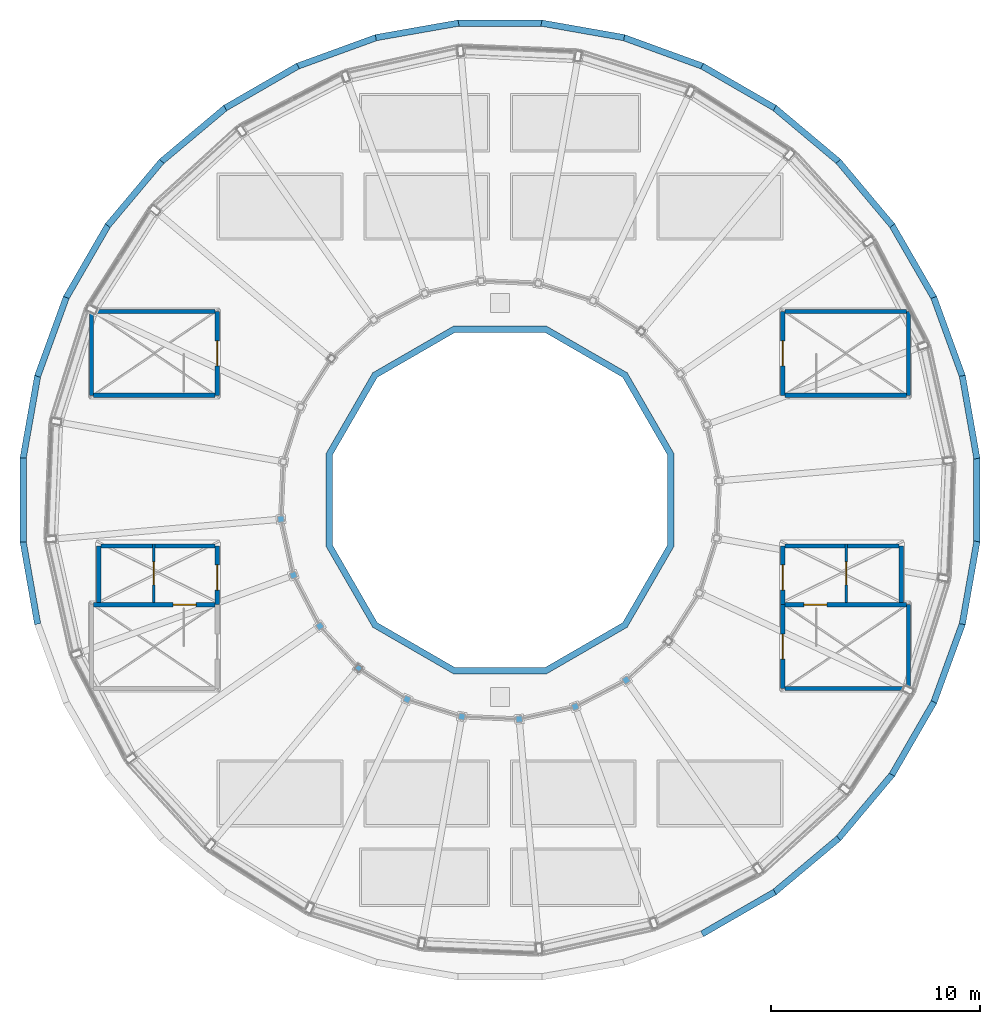
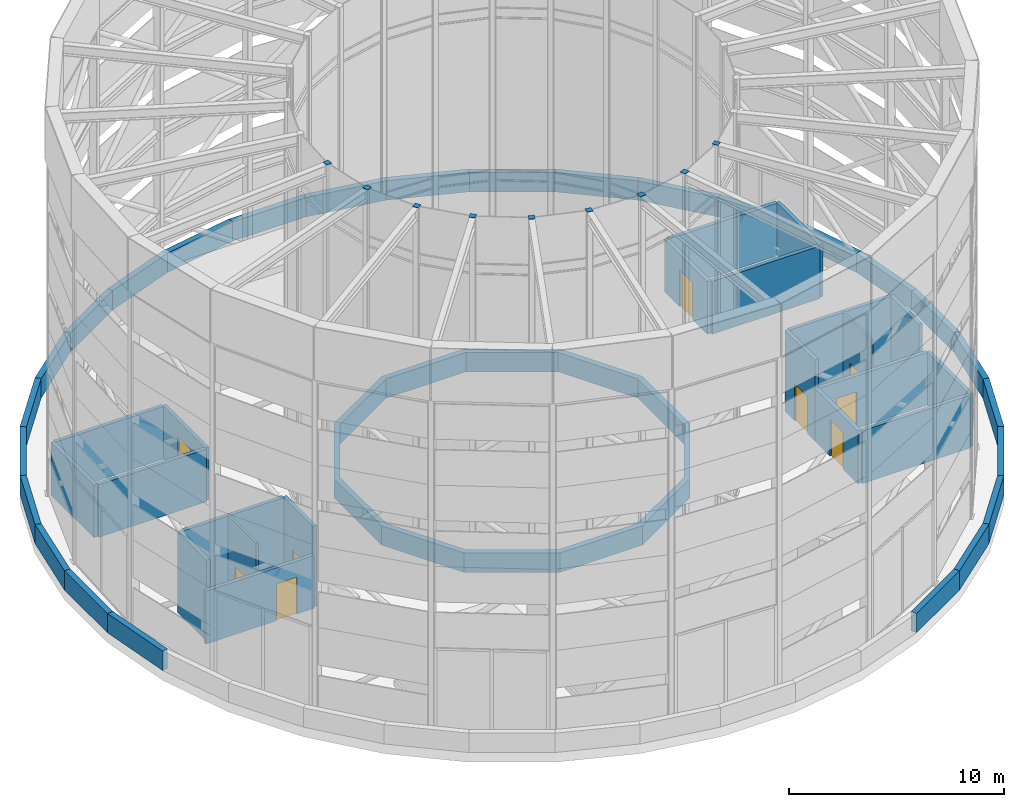
# One storey, part 15 of 20: 48 walls, 9 discrete accessories, 9 doors, 9 openings.
"""IFC4 building model written with IfcOpenShell, lengths in metres."""

from ifc_helpers import new_model, si_unit, direction, frame, frame_2d, origin, origin_2d, place, context, subcontext, project, spatial, polyline, rectangle, outline, extrude, material, layer, layer_set, material_profile, profile_set, type_object, element, fill, save


model = new_model("IFC4")

# Units and contexts
model_context = context("Model", 3, precision=1e-05, world=origin(), true_north=direction((0.0, 1.0)))
body_context = subcontext(model_context, "Body", "Model", "MODEL_VIEW")
ifc_project = project(units=[si_unit("LENGTHUNIT", "METRE"), si_unit("AREAUNIT", "SQUARE_METRE"), si_unit("VOLUMEUNIT", "CUBIC_METRE"), si_unit("PLANEANGLEUNIT", "RADIAN"), si_unit("MASSUNIT", "GRAM", prefix="KILO")], contexts=[model_context])

# Site, building, storey
site_placement = place(None, origin())
site = spatial("IfcSite", under=ifc_project, at=site_placement, CompositionType="ELEMENT")
building_placement = place(site_placement, origin())
building = spatial("IfcBuilding", under=site, at=building_placement, Name="Saqina Gate Tower", CompositionType="ELEMENT")
storey_placement = place(building_placement, frame((0.0, 0.0, 284.199951171875)))
storey = spatial("IfcBuildingStorey", under=building, at=storey_placement, Name="RF", CompositionType="ELEMENT", Elevation=284.199951171875)

# Wall, opening, door
ifc_material_1 = material(Name="Concrete C40/50", Category="concrete")
ifc_layer_1 = layer(ifc_material_1, 0.199951171875)
ifc_layer_set_1 = layer_set([ifc_layer_1], Name="Concrete C40/50")
wall_type_1 = type_object("IfcWallType", Name="HEAD HOUSE WALL", PredefinedType="SOLIDWALL", material=ifc_layer_set_1)
wall_1_placement = place(storey_placement, frame((13.5, 5.0, 0.0), z_axis=(0.0, 0.0, 1.0), x_axis=(0.0, 1.0, 0.0)))
wall_1 = element("IfcWall", 1, at=wall_1_placement, inside=storey, type_object=wall_type_1, Name="STAIR HEAD HOUSE WALL EN", PredefinedType="SOLIDWALL", context=body_context, shape_type="SweptSolid", body=[
    extrude(rectangle(XDim=4.0, YDim=0.199951171875, at=frame_2d((2.0, 0.0))), origin(), (0.0, 0.0, 1.0), 3.0),
])
opening_1_placement = place(wall_1_placement, frame((1.39990234375, 0.0, 0.0)))
opening_1 = element("IfcOpeningElement", 2, at=opening_1_placement, cuts=wall_1, Name="Opening RF-D90", PredefinedType="OPENING", context=body_context, shape_type="SweptSolid", body=[
    extrude(rectangle(XDim=1.199951171875, YDim=2.10009765625, at=frame_2d((0.60009765625, 1.050048828125))), frame((0.0, 0.112060546875, 0.0), z_axis=(0.0, -1.0, 0.0), x_axis=(1.0, 0.0, 0.0)), (0.0, 0.0, 1.0), 0.223876953125),
])
ifc_material_2 = material(Name="Steel", Category="steel")
door_type_1 = type_object("IfcDoorType", Name="FIRE DOOR EI 60", OperationType="SINGLE_SWING_LEFT", PredefinedType="DOOR", material=ifc_material_2)
door_1_placement = place(opening_1_placement, origin())
door_1 = element("IfcDoor", 3, at=door_1_placement, inside=storey, type_object=door_type_1, Name="STAIR HEAD HOUSE DOOR", OperationType="SINGLE_SWING_LEFT", OverallHeight=2.10009765625, OverallWidth=1.199951171875, PredefinedType="DOOR", context=body_context, shape_type="SweptSolid", body=[
    extrude(rectangle(XDim=1.199951171875, YDim=2.10009765625, at=frame_2d((0.60009765625, 1.050048828125))), frame((0.0, 0.02490234375, 0.0), z_axis=(0.0, -1.0, 0.0), x_axis=(1.0, 0.0, 0.0)), (0.0, 0.0, 1.0), 0.050048828125),
])
fill(opening_1, door_1)

# Walls
wall_2_placement = place(storey_placement, frame((19.5, 5.0, 0.0), z_axis=(0.0, 0.0, 1.0), x_axis=(0.0, 1.0, 0.0)))
element("IfcWall", 4, at=wall_2_placement, inside=storey, type_object=wall_type_1, Name="STAIR HEAD HOUSE WALL EN", PredefinedType="SOLIDWALL", context=body_context, shape_type="SweptSolid", body=[
    extrude(rectangle(XDim=4.0, YDim=0.199951171875, at=frame_2d((2.0, 0.0))), origin(), (0.0, 0.0, 1.0), 3.0),
])
for number, where, z_axis, x_axis, name in (
    (5, (13.60009765625, 5.0, 0.0), (0.0, 0.0, 1.0), (1.0, 0.0, 0.0), "STAIR HEAD HOUSE WALL EN"),
    (6, (13.60009765625, 9.0, 0.0), (0.0, 0.0, 1.0), (1.0, 0.0, 0.0), "STAIR HEAD HOUSE WALL EN"),
):
    element("IfcWall", number, at=place(storey_placement, frame(where, z_axis=z_axis, x_axis=x_axis)), inside=storey, type_object=wall_type_1, Name=name, PredefinedType="SOLIDWALL", context=body_context, shape_type="SweptSolid", body=[
        extrude(rectangle(XDim=5.7998046875, YDim=0.199951171875, at=frame_2d((2.89990234375, 0.0))), origin(), (0.0, 0.0, 1.0), 3.0),
    ])

# Wall, opening, door
wall_3_placement = place(storey_placement, frame((13.5, -9.0, 0.0), z_axis=(0.0, 0.0, 1.0), x_axis=(0.0, 1.0, 0.0)))
wall_3 = element("IfcWall", 7, at=wall_3_placement, inside=storey, type_object=wall_type_1, Name="STAIR HEAD HOUSE WALL ES", PredefinedType="SOLIDWALL", context=body_context, shape_type="SweptSolid", body=[
    extrude(rectangle(XDim=4.0, YDim=0.199951171875, at=frame_2d((2.0, 0.0))), origin(), (0.0, 0.0, 1.0), 3.0),
])
opening_2_placement = place(wall_3_placement, frame((1.39990234375, 0.0, 0.0)))
opening_2 = element("IfcOpeningElement", 8, at=opening_2_placement, cuts=wall_3, Name="Opening RF-D91", PredefinedType="OPENING", context=body_context, shape_type="SweptSolid", body=[
    extrude(rectangle(XDim=1.199951171875, YDim=2.10009765625, at=frame_2d((0.60009765625, 1.050048828125))), frame((0.0, 0.112060546875, 0.0), z_axis=(0.0, -1.0, 0.0), x_axis=(1.0, 0.0, 0.0)), (0.0, 0.0, 1.0), 0.223876953125),
])
door_2_placement = place(opening_2_placement, origin())
door_2 = element("IfcDoor", 9, at=door_2_placement, inside=storey, type_object=door_type_1, Name="STAIR HEAD HOUSE DOOR", OperationType="SINGLE_SWING_LEFT", OverallHeight=2.10009765625, OverallWidth=1.199951171875, PredefinedType="DOOR", context=body_context, shape_type="SweptSolid", body=[
    extrude(rectangle(XDim=1.199951171875, YDim=2.10009765625, at=frame_2d((0.60009765625, 1.050048828125))), frame((0.0, 0.02490234375, 0.0), z_axis=(0.0, -1.0, 0.0), x_axis=(1.0, 0.0, 0.0)), (0.0, 0.0, 1.0), 0.050048828125),
])
fill(opening_2, door_2)

# Wall
wall_4_placement = place(storey_placement, frame((19.5, -9.0, 0.0), z_axis=(0.0, 0.0, 1.0), x_axis=(0.0, 1.0, 0.0)))
element("IfcWall", 10, at=wall_4_placement, inside=storey, type_object=wall_type_1, Name="STAIR HEAD HOUSE WALL ES", PredefinedType="SOLIDWALL", context=body_context, shape_type="SweptSolid", body=[
    extrude(rectangle(XDim=4.0, YDim=0.199951171875, at=frame_2d((2.0, 0.0))), origin(), (0.0, 0.0, 1.0), 3.0),
])

# Wall, opening, door
wall_5_placement = place(storey_placement, frame((13.60009765625, -5.0, 0.0), z_axis=(0.0, 0.0, 1.0), x_axis=(1.0, 0.0, 0.0)))
wall_5 = element("IfcWall", 11, at=wall_5_placement, inside=storey, type_object=wall_type_1, Name="STAIR HEAD HOUSE WALL ES", PredefinedType="SOLIDWALL", context=body_context, shape_type="SweptSolid", body=[
    extrude(rectangle(XDim=5.7998046875, YDim=0.199951171875, at=frame_2d((2.89990234375, 0.0))), origin(), (0.0, 0.0, 1.0), 3.0),
])
opening_3_placement = place(wall_5_placement, frame((0.89990234375, 0.0, 0.0)))
opening_3 = element("IfcOpeningElement", 12, at=opening_3_placement, cuts=wall_5, Name="Opening RF-D96", PredefinedType="OPENING", context=body_context, shape_type="SweptSolid", body=[
    extrude(rectangle(XDim=1.10009765625, YDim=2.10009765625, at=frame_2d((0.550048828125, 1.050048828125))), frame((0.0, 0.112060546875, 0.0), z_axis=(0.0, -1.0, 0.0), x_axis=(1.0, 0.0, 0.0)), (0.0, 0.0, 1.0), 0.223876953125),
])
ifc_material_3 = material(Name="Steel", Category="steel")
door_type_2 = type_object("IfcDoorType", Name="FIRE LOBBY DOOR EI 60 WIDE", OperationType="SINGLE_SWING_LEFT", PredefinedType="DOOR", material=ifc_material_3)
door_3_placement = place(opening_3_placement, frame((1.10009765625, 0.0, 0.0), z_axis=(0.0, 0.0, 1.0), x_axis=(-1.0, 0.0, 0.0)))
door_3 = element("IfcDoor", 13, at=door_3_placement, inside=storey, type_object=door_type_2, Name="FIRE-FIGHTING LOBBY STAIR DOOR", OperationType="SINGLE_SWING_RIGHT", OverallHeight=2.10009765625, OverallWidth=1.10009765625, PredefinedType="DOOR", context=body_context, shape_type="SweptSolid", body=[
    extrude(rectangle(XDim=1.10009765625, YDim=2.10009765625, at=frame_2d((0.550048828125, 1.050048828125))), frame((0.0, 0.02490234375, 0.0), z_axis=(0.0, -1.0, 0.0), x_axis=(1.0, 0.0, 0.0)), (0.0, 0.0, 1.0), 0.050048828125),
])
fill(opening_3, door_3)

# Wall
wall_6_placement = place(storey_placement, frame((13.60009765625, -9.0, 0.0), z_axis=(0.0, 0.0, 1.0), x_axis=(1.0, 0.0, 0.0)))
element("IfcWall", 14, at=wall_6_placement, inside=storey, type_object=wall_type_1, Name="STAIR HEAD HOUSE WALL ES", PredefinedType="SOLIDWALL", context=body_context, shape_type="SweptSolid", body=[
    extrude(rectangle(XDim=5.7998046875, YDim=0.199951171875, at=frame_2d((2.89990234375, 0.0))), origin(), (0.0, 0.0, 1.0), 3.0),
])

# Wall, opening, door
wall_7_placement = place(storey_placement, frame((13.5, -5.0, 0.0), z_axis=(0.0, 0.0, 1.0), x_axis=(0.0, 1.0, 0.0)))
wall_7 = element("IfcWall", 15, at=wall_7_placement, inside=storey, type_object=wall_type_1, Name="FIRE-FIGHTING LIFT HEAD WALL E", PredefinedType="SOLIDWALL", context=body_context, shape_type="SweptSolid", body=[
    extrude(rectangle(XDim=2.800048828125, YDim=0.199951171875, at=frame_2d((1.39990234375, 0.0))), origin(), (0.0, 0.0, 1.0), 4.60009765625),
])
opening_4_placement = place(wall_7_placement, frame((0.699951171875, 0.0, 0.0)))
opening_4 = element("IfcOpeningElement", 16, at=opening_4_placement, cuts=wall_7, Name="Opening RF-D94", PredefinedType="OPENING", context=body_context, shape_type="SweptSolid", body=[
    extrude(rectangle(XDim=1.199951171875, YDim=2.10009765625, at=frame_2d((0.60009765625, 1.050048828125))), frame((0.0, 0.112060546875, 0.0), z_axis=(0.0, -1.0, 0.0), x_axis=(1.0, 0.0, 0.0)), (0.0, 0.0, 1.0), 0.223876953125),
])
door_4_placement = place(opening_4_placement, origin())
door_4 = element("IfcDoor", 17, at=door_4_placement, inside=storey, type_object=door_type_1, Name="FIRE-FIGHTING LOBBY ROOF DOOR", OperationType="SINGLE_SWING_LEFT", OverallHeight=2.10009765625, OverallWidth=1.199951171875, PredefinedType="DOOR", context=body_context, shape_type="SweptSolid", body=[
    extrude(rectangle(XDim=1.199951171875, YDim=2.10009765625, at=frame_2d((0.60009765625, 1.050048828125))), frame((0.0, 0.02490234375, 0.0), z_axis=(0.0, -1.0, 0.0), x_axis=(1.0, 0.0, 0.0)), (0.0, 0.0, 1.0), 0.050048828125),
])
fill(opening_4, door_4)

# Walls
wall_8_placement = place(storey_placement, frame((19.14990234375, -4.89990234375, 0.0), z_axis=(0.0, 0.0, 1.0), x_axis=(0.0, 1.0, 0.0)))
element("IfcWall", 18, at=wall_8_placement, inside=storey, type_object=wall_type_1, Name="FIRE-FIGHTING LIFT HEAD WALL E", PredefinedType="SOLIDWALL", context=body_context, shape_type="SweptSolid", body=[
    extrude(rectangle(XDim=2.699951171875, YDim=0.199951171875, at=frame_2d((1.35009765625, 0.0))), origin(), (0.0, 0.0, 1.0), 4.60009765625),
])
wall_9_placement = place(storey_placement, frame((13.60009765625, -2.199951171875, 0.0), z_axis=(0.0, 0.0, 1.0), x_axis=(1.0, 0.0, 0.0)))
element("IfcWall", 19, at=wall_9_placement, inside=storey, type_object=wall_type_1, Name="FIRE-FIGHTING LIFT HEAD WALL E", PredefinedType="SOLIDWALL", context=body_context, shape_type="SweptSolid", body=[
    extrude(rectangle(XDim=5.449951171875, YDim=0.199951171875, at=frame_2d((2.72509765625, 0.0))), origin(), (0.0, 0.0, 1.0), 4.60009765625),
])

# Wall, opening, door
wall_10_placement = place(storey_placement, frame((-13.5, 5.0, 0.0), z_axis=(0.0, 0.0, 1.0), x_axis=(0.0, 1.0, 0.0)))
wall_10 = element("IfcWall", 20, at=wall_10_placement, inside=storey, type_object=wall_type_1, Name="STAIR HEAD HOUSE WALL WN", PredefinedType="SOLIDWALL", context=body_context, shape_type="SweptSolid", body=[
    extrude(rectangle(XDim=4.0, YDim=0.199951171875, at=frame_2d((2.0, 0.0))), origin(), (0.0, 0.0, 1.0), 3.0),
])
opening_5_placement = place(wall_10_placement, frame((1.39990234375, 0.0, 0.0)))
opening_5 = element("IfcOpeningElement", 21, at=opening_5_placement, cuts=wall_10, Name="Opening RF-D92", PredefinedType="OPENING", context=body_context, shape_type="SweptSolid", body=[
    extrude(rectangle(XDim=1.199951171875, YDim=2.10009765625, at=frame_2d((0.60009765625, 1.050048828125))), frame((0.0, 0.112060546875, 0.0), z_axis=(0.0, -1.0, 0.0), x_axis=(1.0, 0.0, 0.0)), (0.0, 0.0, 1.0), 0.223876953125),
])
door_5_placement = place(opening_5_placement, frame((1.199951171875, 0.0, 0.0), z_axis=(0.0, 0.0, 1.0), x_axis=(-1.0, 0.0, 0.0)))
door_5 = element("IfcDoor", 22, at=door_5_placement, inside=storey, type_object=door_type_1, Name="STAIR HEAD HOUSE DOOR", OperationType="SINGLE_SWING_RIGHT", OverallHeight=2.10009765625, OverallWidth=1.199951171875, PredefinedType="DOOR", context=body_context, shape_type="SweptSolid", body=[
    extrude(rectangle(XDim=1.199951171875, YDim=2.10009765625, at=frame_2d((0.60009765625, 1.050048828125))), frame((0.0, 0.02490234375, 0.0), z_axis=(0.0, -1.0, 0.0), x_axis=(1.0, 0.0, 0.0)), (0.0, 0.0, 1.0), 0.050048828125),
])
fill(opening_5, door_5)

# Walls
wall_11_placement = place(storey_placement, frame((-19.5, 5.0, 0.0), z_axis=(0.0, 0.0, 1.0), x_axis=(0.0, 1.0, 0.0)))
element("IfcWall", 23, at=wall_11_placement, inside=storey, type_object=wall_type_1, Name="STAIR HEAD HOUSE WALL WN", PredefinedType="SOLIDWALL", context=body_context, shape_type="SweptSolid", body=[
    extrude(rectangle(XDim=4.0, YDim=0.199951171875, at=frame_2d((2.0, 0.0))), origin(), (0.0, 0.0, 1.0), 3.0),
])
for number, where, z_axis, x_axis, name in (
    (24, (-13.60009765625, 5.0, 0.0), (0.0, 0.0, 1.0), (-1.0, 0.0, 0.0), "STAIR HEAD HOUSE WALL WN"),
    (25, (-13.60009765625, 9.0, 0.0), (0.0, 0.0, 1.0), (-1.0, 0.0, 0.0), "STAIR HEAD HOUSE WALL WN"),
):
    element("IfcWall", number, at=place(storey_placement, frame(where, z_axis=z_axis, x_axis=x_axis)), inside=storey, type_object=wall_type_1, Name=name, PredefinedType="SOLIDWALL", context=body_context, shape_type="SweptSolid", body=[
        extrude(rectangle(XDim=5.7998046875, YDim=0.199951171875, at=frame_2d((2.89990234375, 0.0))), origin(), (0.0, 0.0, 1.0), 3.0),
    ])

# Wall, opening, door
wall_12_placement = place(storey_placement, frame((-13.60009765625, -5.0, 0.0), z_axis=(0.0, 0.0, 1.0), x_axis=(-1.0, 0.0, 0.0)))
wall_12 = element("IfcWall", 26, at=wall_12_placement, inside=storey, type_object=wall_type_1, Name="STAIR HEAD HOUSE WALL WS", PredefinedType="SOLIDWALL", context=body_context, shape_type="SweptSolid", body=[
    extrude(rectangle(XDim=5.7998046875, YDim=0.199951171875, at=frame_2d((2.89990234375, 0.0))), origin(), (0.0, 0.0, 1.0), 3.0),
])
opening_6_placement = place(wall_12_placement, frame((0.89990234375, 0.0, 0.0)))
opening_6 = element("IfcOpeningElement", 27, at=opening_6_placement, cuts=wall_12, Name="Opening RF-D97", PredefinedType="OPENING", context=body_context, shape_type="SweptSolid", body=[
    extrude(rectangle(XDim=1.10009765625, YDim=2.10009765625, at=frame_2d((0.550048828125, 1.050048828125))), frame((0.0, 0.112060546875, 0.0), z_axis=(0.0, -1.0, 0.0), x_axis=(1.0, 0.0, 0.0)), (0.0, 0.0, 1.0), 0.223876953125),
])
door_6_placement = place(opening_6_placement, origin())
door_6 = element("IfcDoor", 28, at=door_6_placement, inside=storey, type_object=door_type_2, Name="FIRE-FIGHTING LOBBY STAIR DOOR", OperationType="SINGLE_SWING_LEFT", OverallHeight=2.10009765625, OverallWidth=1.10009765625, PredefinedType="DOOR", context=body_context, shape_type="SweptSolid", body=[
    extrude(rectangle(XDim=1.10009765625, YDim=2.10009765625, at=frame_2d((0.550048828125, 1.050048828125))), frame((0.0, 0.02490234375, 0.0), z_axis=(0.0, -1.0, 0.0), x_axis=(1.0, 0.0, 0.0)), (0.0, 0.0, 1.0), 0.050048828125),
])
fill(opening_6, door_6)

wall_13_placement = place(storey_placement, frame((-13.5, -5.0, 0.0), z_axis=(0.0, 0.0, 1.0), x_axis=(0.0, 1.0, 0.0)))
wall_13 = element("IfcWall", 29, at=wall_13_placement, inside=storey, type_object=wall_type_1, Name="FIRE-FIGHTING LIFT HEAD WALL W", PredefinedType="SOLIDWALL", context=body_context, shape_type="SweptSolid", body=[
    extrude(rectangle(XDim=2.800048828125, YDim=0.199951171875, at=frame_2d((1.39990234375, 0.0))), origin(), (0.0, 0.0, 1.0), 4.60009765625),
])
opening_7_placement = place(wall_13_placement, frame((0.699951171875, 0.0, 0.0)))
opening_7 = element("IfcOpeningElement", 30, at=opening_7_placement, cuts=wall_13, Name="Opening RF-D95", PredefinedType="OPENING", context=body_context, shape_type="SweptSolid", body=[
    extrude(rectangle(XDim=1.199951171875, YDim=2.10009765625, at=frame_2d((0.60009765625, 1.050048828125))), frame((0.0, 0.112060546875, 0.0), z_axis=(0.0, -1.0, 0.0), x_axis=(1.0, 0.0, 0.0)), (0.0, 0.0, 1.0), 0.223876953125),
])
door_7_placement = place(opening_7_placement, frame((1.199951171875, 0.0, 0.0), z_axis=(0.0, 0.0, 1.0), x_axis=(-1.0, 0.0, 0.0)))
door_7 = element("IfcDoor", 31, at=door_7_placement, inside=storey, type_object=door_type_1, Name="FIRE-FIGHTING LOBBY ROOF DOOR", OperationType="SINGLE_SWING_RIGHT", OverallHeight=2.10009765625, OverallWidth=1.199951171875, PredefinedType="DOOR", context=body_context, shape_type="SweptSolid", body=[
    extrude(rectangle(XDim=1.199951171875, YDim=2.10009765625, at=frame_2d((0.60009765625, 1.050048828125))), frame((0.0, 0.02490234375, 0.0), z_axis=(0.0, -1.0, 0.0), x_axis=(1.0, 0.0, 0.0)), (0.0, 0.0, 1.0), 0.050048828125),
])
fill(opening_7, door_7)

# Walls
wall_14_placement = place(storey_placement, frame((-19.14990234375, -4.89990234375, 0.0), z_axis=(0.0, 0.0, 1.0), x_axis=(0.0, 1.0, 0.0)))
element("IfcWall", 32, at=wall_14_placement, inside=storey, type_object=wall_type_1, Name="FIRE-FIGHTING LIFT HEAD WALL W", PredefinedType="SOLIDWALL", context=body_context, shape_type="SweptSolid", body=[
    extrude(rectangle(XDim=2.699951171875, YDim=0.199951171875, at=frame_2d((1.35009765625, 0.0))), origin(), (0.0, 0.0, 1.0), 4.60009765625),
])
wall_15_placement = place(storey_placement, frame((-13.60009765625, -2.199951171875, 0.0), z_axis=(0.0, 0.0, 1.0), x_axis=(-1.0, 0.0, 0.0)))
element("IfcWall", 33, at=wall_15_placement, inside=storey, type_object=wall_type_1, Name="FIRE-FIGHTING LIFT HEAD WALL W", PredefinedType="SOLIDWALL", context=body_context, shape_type="SweptSolid", body=[
    extrude(rectangle(XDim=5.449951171875, YDim=0.199951171875, at=frame_2d((2.72509765625, 0.0))), origin(), (0.0, 0.0, 1.0), 4.60009765625),
])
ifc_material_4 = material(Name="Brick masonry (buff)", Category="masonry")
ifc_layer_2 = layer(ifc_material_4, 0.300048828125)
ifc_layer_set_2 = layer_set([ifc_layer_2], Name="PA-ROOF")
wall_type_2 = type_object("IfcWallType", Name="PA-ROOF", PredefinedType="PARAPET", material=ifc_layer_set_2)
wall_16_placement = place(storey_placement, frame((22.764892578125, 1.978515625, 0.0), z_axis=(0.0, 0.0, 1.0), x_axis=(-0.173674167733, 0.984803169909, 0.0)))
element("IfcWall", 34, at=wall_16_placement, inside=storey, type_object=wall_type_2, Name="Parapet RF edge 1", PredefinedType="PARAPET", context=body_context, shape_type="SweptSolid", body=[
    extrude(rectangle(XDim=4.00927734375, YDim=0.300048828125, at=frame_2d((2.004638671875, 0.0))), origin(), (0.0, 0.0, 1.0), 1.10009765625),
])
for number, where, z_axis, x_axis, name in (
    (35, (22.0751953125, 5.901611328125, 0.0), (0.0, 0.0, 1.0), (-0.341997306485, 0.939700932402, 0.0), "Parapet RF edge 2"),
    (36, (20.715087890625, 9.645263671875, 0.0), (0.0, 0.0, 1.0), (-0.499977246076, 0.86603854037, 0.0), "Parapet RF edge 3"),
):
    element("IfcWall", number, at=place(storey_placement, frame(where, z_axis=z_axis, x_axis=x_axis)), inside=storey, type_object=wall_type_2, Name=name, PredefinedType="PARAPET", context=body_context, shape_type="SweptSolid", body=[
        extrude(rectangle(XDim=4.009033203125, YDim=0.300048828125, at=frame_2d((2.00439453125, 0.0))), origin(), (0.0, 0.0, 1.0), 1.10009765625),
    ])
for number, where, z_axis, x_axis, name in (
    (37, (18.7255859375, 13.095703125, 0.0), (0.0, 0.0, 1.0), (-0.642792134995, 0.766040645911, 0.0), "Parapet RF edge 4"),
    (38, (16.1669921875, 16.1484375, 0.0), (0.0, 0.0, 1.0), (-0.766040645911, 0.642792134995, 0.0), "Parapet RF edge 5"),
):
    element("IfcWall", number, at=place(storey_placement, frame(where, z_axis=z_axis, x_axis=x_axis)), inside=storey, type_object=wall_type_2, Name=name, PredefinedType="PARAPET", context=body_context, shape_type="SweptSolid", body=[
        extrude(rectangle(XDim=4.00927734375, YDim=0.300048828125, at=frame_2d((2.004638671875, 0.0))), origin(), (0.0, 0.0, 1.0), 1.10009765625),
    ])
for number, where, z_axis, x_axis, name in (
    (39, (13.1171875, 18.710693359375, 0.0), (0.0, 0.0, 1.0), (-0.86603854037, 0.499977246076, 0.0), "Parapet RF edge 6"),
    (40, (9.6689453125, 20.7041015625, 0.0), (0.0, 0.0, 1.0), (-0.939700932402, 0.341997306485, 0.0), "Parapet RF edge 7"),
):
    element("IfcWall", number, at=place(storey_placement, frame(where, z_axis=z_axis, x_axis=x_axis)), inside=storey, type_object=wall_type_2, Name=name, PredefinedType="PARAPET", context=body_context, shape_type="SweptSolid", body=[
        extrude(rectangle(XDim=4.009033203125, YDim=0.300048828125, at=frame_2d((2.00439453125, 0.0))), origin(), (0.0, 0.0, 1.0), 1.10009765625),
    ])
for number, where, z_axis, x_axis, name in (
    (41, (5.9267578125, 22.068603515625, 0.0), (0.0, 0.0, 1.0), (-0.984803169909, 0.173674167733, 0.0), "Parapet RF edge 8"),
    (42, (2.004638671875, 22.762451171875, 0.0), (0.0, 0.0, 1.0), (-1.0, 0.0, 0.0), "Parapet RF edge 9"),
    (43, (-1.978515625, 22.764892578125, 0.0), (0.0, 0.0, 1.0), (-0.984803169909, -0.173674167733, 0.0), "Parapet RF edge 10"),
):
    element("IfcWall", number, at=place(storey_placement, frame(where, z_axis=z_axis, x_axis=x_axis)), inside=storey, type_object=wall_type_2, Name=name, PredefinedType="PARAPET", context=body_context, shape_type="SweptSolid", body=[
        extrude(rectangle(XDim=4.00927734375, YDim=0.300048828125, at=frame_2d((2.004638671875, 0.0))), origin(), (0.0, 0.0, 1.0), 1.10009765625),
    ])
for number, where, z_axis, x_axis, name in (
    (44, (-5.901611328125, 22.0751953125, 0.0), (0.0, 0.0, 1.0), (-0.939700932402, -0.341997306485, 0.0), "Parapet RF edge 11"),
    (45, (-9.645263671875, 20.715087890625, 0.0), (0.0, 0.0, 1.0), (-0.86603854037, -0.499977246076, 0.0), "Parapet RF edge 12"),
):
    element("IfcWall", number, at=place(storey_placement, frame(where, z_axis=z_axis, x_axis=x_axis)), inside=storey, type_object=wall_type_2, Name=name, PredefinedType="PARAPET", context=body_context, shape_type="SweptSolid", body=[
        extrude(rectangle(XDim=4.009033203125, YDim=0.300048828125, at=frame_2d((2.00439453125, 0.0))), origin(), (0.0, 0.0, 1.0), 1.10009765625),
    ])
for number, where, z_axis, x_axis, name in (
    (46, (-13.095703125, 18.7255859375, 0.0), (0.0, 0.0, 1.0), (-0.766040645911, -0.642792134995, 0.0), "Parapet RF edge 13"),
    (47, (-16.1484375, 16.1669921875, 0.0), (0.0, 0.0, 1.0), (-0.642792134995, -0.766040645911, 0.0), "Parapet RF edge 14"),
):
    element("IfcWall", number, at=place(storey_placement, frame(where, z_axis=z_axis, x_axis=x_axis)), inside=storey, type_object=wall_type_2, Name=name, PredefinedType="PARAPET", context=body_context, shape_type="SweptSolid", body=[
        extrude(rectangle(XDim=4.00927734375, YDim=0.300048828125, at=frame_2d((2.004638671875, 0.0))), origin(), (0.0, 0.0, 1.0), 1.10009765625),
    ])
for number, where, z_axis, x_axis, name in (
    (48, (-18.710693359375, 13.1171875, 0.0), (0.0, 0.0, 1.0), (-0.499977246076, -0.86603854037, 0.0), "Parapet RF edge 15"),
    (49, (-20.7041015625, 9.6689453125, 0.0), (0.0, 0.0, 1.0), (-0.341997306485, -0.939700932402, 0.0), "Parapet RF edge 16"),
):
    element("IfcWall", number, at=place(storey_placement, frame(where, z_axis=z_axis, x_axis=x_axis)), inside=storey, type_object=wall_type_2, Name=name, PredefinedType="PARAPET", context=body_context, shape_type="SweptSolid", body=[
        extrude(rectangle(XDim=4.009033203125, YDim=0.300048828125, at=frame_2d((2.00439453125, 0.0))), origin(), (0.0, 0.0, 1.0), 1.10009765625),
    ])
for number, where, z_axis, x_axis, name in (
    (50, (-22.068603515625, 5.9267578125, 0.0), (0.0, 0.0, 1.0), (-0.173674167733, -0.984803169909, 0.0), "Parapet RF edge 17"),
    (51, (-22.762451171875, 2.004638671875, 0.0), (0.0, 0.0, 1.0), (0.0, -1.0, 0.0), "Parapet RF edge 18"),
    (52, (-22.764892578125, -1.978515625, 0.0), (0.0, 0.0, 1.0), (0.173674167733, -0.984803169909, 0.0), "Parapet RF edge 19"),
):
    element("IfcWall", number, at=place(storey_placement, frame(where, z_axis=z_axis, x_axis=x_axis)), inside=storey, type_object=wall_type_2, Name=name, PredefinedType="PARAPET", context=body_context, shape_type="SweptSolid", body=[
        extrude(rectangle(XDim=4.00927734375, YDim=0.300048828125, at=frame_2d((2.004638671875, 0.0))), origin(), (0.0, 0.0, 1.0), 1.10009765625),
    ])
wall_17_placement = place(storey_placement, frame((9.645263671875, -20.715087890625, 0.0), z_axis=(0.0, 0.0, 1.0), x_axis=(0.86603854037, 0.499977246076, 0.0)))
element("IfcWall", 53, at=wall_17_placement, inside=storey, type_object=wall_type_2, Name="Parapet RF edge 30", PredefinedType="PARAPET", context=body_context, shape_type="SweptSolid", body=[
    extrude(rectangle(XDim=4.009033203125, YDim=0.300048828125, at=frame_2d((2.00439453125, 0.0))), origin(), (0.0, 0.0, 1.0), 1.10009765625),
])
for number, where, z_axis, x_axis, name in (
    (54, (13.095703125, -18.7255859375, 0.0), (0.0, 0.0, 1.0), (0.766040645911, 0.642792134995, 0.0), "Parapet RF edge 31"),
    (55, (16.1484375, -16.1669921875, 0.0), (0.0, 0.0, 1.0), (0.642792134995, 0.766040645911, 0.0), "Parapet RF edge 32"),
):
    element("IfcWall", number, at=place(storey_placement, frame(where, z_axis=z_axis, x_axis=x_axis)), inside=storey, type_object=wall_type_2, Name=name, PredefinedType="PARAPET", context=body_context, shape_type="SweptSolid", body=[
        extrude(rectangle(XDim=4.00927734375, YDim=0.300048828125, at=frame_2d((2.004638671875, 0.0))), origin(), (0.0, 0.0, 1.0), 1.10009765625),
    ])
for number, where, z_axis, x_axis, name in (
    (56, (18.710693359375, -13.1171875, 0.0), (0.0, 0.0, 1.0), (0.499977246076, 0.86603854037, 0.0), "Parapet RF edge 33"),
    (57, (20.7041015625, -9.6689453125, 0.0), (0.0, 0.0, 1.0), (0.341997306485, 0.939700932402, 0.0), "Parapet RF edge 34"),
):
    element("IfcWall", number, at=place(storey_placement, frame(where, z_axis=z_axis, x_axis=x_axis)), inside=storey, type_object=wall_type_2, Name=name, PredefinedType="PARAPET", context=body_context, shape_type="SweptSolid", body=[
        extrude(rectangle(XDim=4.009033203125, YDim=0.300048828125, at=frame_2d((2.00439453125, 0.0))), origin(), (0.0, 0.0, 1.0), 1.10009765625),
    ])
for number, where, z_axis, x_axis, name in (
    (58, (22.068603515625, -5.9267578125, 0.0), (0.0, 0.0, 1.0), (0.173674167733, 0.984803169909, 0.0), "Parapet RF edge 35"),
    (59, (22.762451171875, -2.004638671875, 0.0), (0.0, 0.0, 1.0), (0.0, 1.0, 0.0), "Parapet RF edge 36"),
):
    element("IfcWall", number, at=place(storey_placement, frame(where, z_axis=z_axis, x_axis=x_axis)), inside=storey, type_object=wall_type_2, Name=name, PredefinedType="PARAPET", context=body_context, shape_type="SweptSolid", body=[
        extrude(rectangle(XDim=4.00927734375, YDim=0.300048828125, at=frame_2d((2.004638671875, 0.0))), origin(), (0.0, 0.0, 1.0), 1.10009765625),
    ])
wall_18_placement = place(storey_placement, origin())
element("IfcWall", 60, at=wall_18_placement, inside=storey, type_object=wall_type_2, Name="Parapet round the light well", PredefinedType="PARAPET", context=body_context, shape_type="SweptSolid", body=[
    extrude(outline(polyline([(8.300048828125, 2.22412109375), (6.075927734375, 6.075927734375), (2.22412109375, 8.300048828125), (-2.22412109375, 8.300048828125), (-6.075927734375, 6.075927734375), (-8.300048828125, 2.22412109375), (-8.300048828125, -2.22412109375), (-6.075927734375, -6.075927734375), (-2.22412109375, -8.300048828125), (2.22412109375, -8.300048828125), (6.075927734375, -6.075927734375), (8.300048828125, -2.22412109375), (8.300048828125, 2.22412109375)]), holes=[polyline([(8.0, 2.1435546875), (5.8564453125, 5.8564453125), (2.1435546875, 8.0), (-2.1435546875, 8.0), (-5.8564453125, 5.8564453125), (-8.0, 2.1435546875), (-8.0, -2.1435546875), (-5.8564453125, -5.8564453125), (-2.1435546875, -8.0), (2.1435546875, -8.0), (5.8564453125, -5.8564453125), (8.0, -2.1435546875), (8.0, 2.1435546875)])]), origin(), (0.0, 0.0, 1.0), 1.10009765625),
])

# Wall, opening, door
ifc_material_5 = material(Name="Autoclaved aerated concrete block", Category="concrete")
ifc_layer_3 = layer(ifc_material_5, 0.1201171875)
ifc_layer_set_3 = layer_set([ifc_layer_3], Name="SHAFT PARTITION")
wall_type_3 = type_object("IfcWallType", Name="SHAFT PARTITION", PredefinedType="PARTITIONING", material=ifc_layer_set_3)
wall_19_placement = place(storey_placement, frame((16.530029296875, -4.89990234375, 0.0), z_axis=(0.0, 0.0, 1.0), x_axis=(0.0, 1.0, 0.0)))
wall_19 = element("IfcWall", 61, at=wall_19_placement, inside=storey, type_object=wall_type_3, Name="RF-CP-E01", PredefinedType="PARTITIONING", context=body_context, shape_type="SweptSolid", body=[
    extrude(rectangle(XDim=2.7998046875, YDim=0.1201171875, at=frame_2d((1.39990234375, 0.0))), origin(), (0.0, 0.0, 1.0), 4.60009765625),
])
opening_8_placement = place(wall_19_placement, frame((0.85009765625, 0.0, 0.0)))
opening_8 = element("IfcOpeningElement", 62, at=opening_8_placement, cuts=wall_19, Name="Opening RF-LD1", PredefinedType="OPENING", context=body_context, shape_type="SweptSolid", body=[
    extrude(rectangle(XDim=1.10009765625, YDim=2.10009765625, at=frame_2d((0.550048828125, 1.050048828125))), frame((0.0, 0.072021484375, 0.0), z_axis=(0.0, -1.0, 0.0), x_axis=(1.0, 0.0, 0.0)), (0.0, 0.0, 1.0), 0.14404296875),
])
ifc_material_6 = material(Name="Stainless steel", Category="steel")
door_type_3 = type_object("IfcDoorType", Name="LANDING DOOR", OperationType="DOUBLE_DOOR_SLIDING", PredefinedType="DOOR", material=ifc_material_6)
door_8_placement = place(opening_8_placement, origin())
door_8 = element("IfcDoor", 63, at=door_8_placement, inside=storey, type_object=door_type_3, Name="LANDING DOOR FF1", OperationType="DOUBLE_DOOR_SLIDING", OverallHeight=2.10009765625, OverallWidth=1.10009765625, PredefinedType="DOOR", context=body_context, shape_type="SweptSolid", body=[
    extrude(rectangle(XDim=1.10009765625, YDim=2.10009765625, at=frame_2d((0.550048828125, 1.050048828125))), frame((0.0, 0.02490234375, 0.0), z_axis=(0.0, -1.0, 0.0), x_axis=(1.0, 0.0, 0.0)), (0.0, 0.0, 1.0), 0.050048828125),
])
fill(opening_8, door_8)

wall_20_placement = place(storey_placement, frame((-16.530029296875, -4.89990234375, 0.0), z_axis=(0.0, 0.0, 1.0), x_axis=(0.0, 1.0, 0.0)))
wall_20 = element("IfcWall", 64, at=wall_20_placement, inside=storey, type_object=wall_type_3, Name="RF-CP-W01", PredefinedType="PARTITIONING", context=body_context, shape_type="SweptSolid", body=[
    extrude(rectangle(XDim=2.7998046875, YDim=0.1201171875, at=frame_2d((1.39990234375, 0.0))), origin(), (0.0, 0.0, 1.0), 4.60009765625),
])
opening_9_placement = place(wall_20_placement, frame((0.85009765625, 0.0, 0.0)))
opening_9 = element("IfcOpeningElement", 65, at=opening_9_placement, cuts=wall_20, Name="Opening RF-LD2", PredefinedType="OPENING", context=body_context, shape_type="SweptSolid", body=[
    extrude(rectangle(XDim=1.10009765625, YDim=2.10009765625, at=frame_2d((0.550048828125, 1.050048828125))), frame((0.0, 0.072021484375, 0.0), z_axis=(0.0, -1.0, 0.0), x_axis=(1.0, 0.0, 0.0)), (0.0, 0.0, 1.0), 0.14404296875),
])
door_9_placement = place(opening_9_placement, origin())
door_9 = element("IfcDoor", 66, at=door_9_placement, inside=storey, type_object=door_type_3, Name="LANDING DOOR FF2", OperationType="DOUBLE_DOOR_SLIDING", OverallHeight=2.10009765625, OverallWidth=1.10009765625, PredefinedType="DOOR", context=body_context, shape_type="SweptSolid", body=[
    extrude(rectangle(XDim=1.10009765625, YDim=2.10009765625, at=frame_2d((0.550048828125, 1.050048828125))), frame((0.0, 0.02490234375, 0.0), z_axis=(0.0, -1.0, 0.0), x_axis=(1.0, 0.0, 0.0)), (0.0, 0.0, 1.0), 0.050048828125),
])
fill(opening_9, door_9)

# Discrete accessories
ifc_material_7 = material(Name="Steel S460", Category="steel")
ifc_material_profile = material_profile(ifc_material_7, rectangle(XDim=0.300048828125, YDim=0.300048828125, at=origin_2d()), Name="STR-END PLATE-SHS 300x300x16")
ifc_profile_set = profile_set([ifc_material_profile], Name="Steel S460")
discrete_accessory_type = type_object("IfcDiscreteAccessoryType", Name="STR-END PLATE-SHS 300x300x16", PredefinedType="USERDEFINED", material=ifc_profile_set)
for number, where, z_axis, x_axis, name in (
    (67, (-10.4599609375, -0.9150390625, 21.699951171875), (0.0, 0.0, 1.0), (-0.996194698092, -0.087155742748, 0.0), "END PLATE CROWN FRAME COLUMN INNER 13 END"),
    (68, (-9.86669921875, -3.59130859375, 21.699951171875), (0.0, 0.0, 1.0), (-0.939692620786, -0.342020143326, 0.0), "END PLATE CROWN FRAME COLUMN INNER 14 END"),
    (69, (-8.60107421875, -6.0224609375, 21.699951171875), (0.0, 0.0, 1.0), (-0.819152044289, -0.573576436351, 0.0), "END PLATE CROWN FRAME COLUMN INNER 15 END"),
    (70, (-6.749267578125, -8.04345703125, 21.699951171875), (0.0, 0.0, 1.0), (-0.642787609687, -0.766044443119, 0.0), "END PLATE CROWN FRAME COLUMN INNER 16 END"),
    (71, (-4.4375, -9.51611328125, 21.699951171875), (0.0, 0.0, 1.0), (-0.422618261741, -0.906307787037, 0.0), "END PLATE CROWN FRAME COLUMN INNER 17 END"),
    (72, (-1.8232421875, -10.340576171875, 21.699951171875), (0.0, 0.0, 1.0), (-0.173648177667, -0.984807753012, 0.0), "END PLATE CROWN FRAME COLUMN INNER 18 END"),
    (73, (0.9150390625, -10.4599609375, 21.699951171875), (0.0, 0.0, 1.0), (0.087155742748, -0.996194698092, 0.0), "END PLATE CROWN FRAME COLUMN INNER 19 END"),
    (74, (3.59130859375, -9.86669921875, 21.699951171875), (0.0, 0.0, 1.0), (0.342020143326, -0.939692620786, 0.0), "END PLATE CROWN FRAME COLUMN INNER 20 END"),
    (75, (6.0224609375, -8.60107421875, 21.699951171875), (0.0, 0.0, 1.0), (0.573576436351, -0.819152044289, 0.0), "END PLATE CROWN FRAME COLUMN INNER 21 END"),
):
    element("IfcDiscreteAccessory", number, at=place(storey_placement, frame(where, z_axis=z_axis, x_axis=x_axis)), inside=storey, type_object=discrete_accessory_type, Name=name, ObjectType="END PLATE", PredefinedType="USERDEFINED", context=body_context, shape_type="SweptSolid", body=[
        extrude(rectangle(XDim=0.300048828125, YDim=0.300048828125, at=origin_2d()), origin(), (0.0, 0.0, 1.0), 0.02001953125),
    ])

save(model, "model.ifc")
